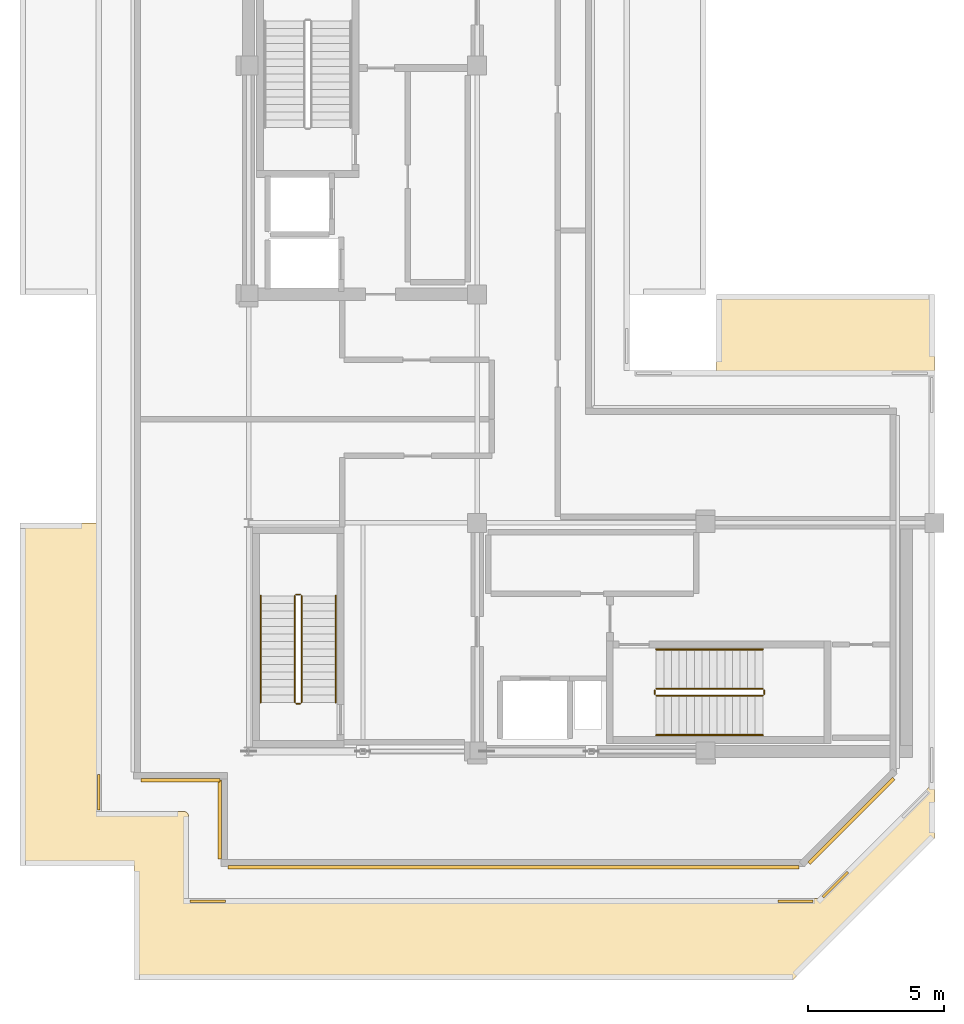
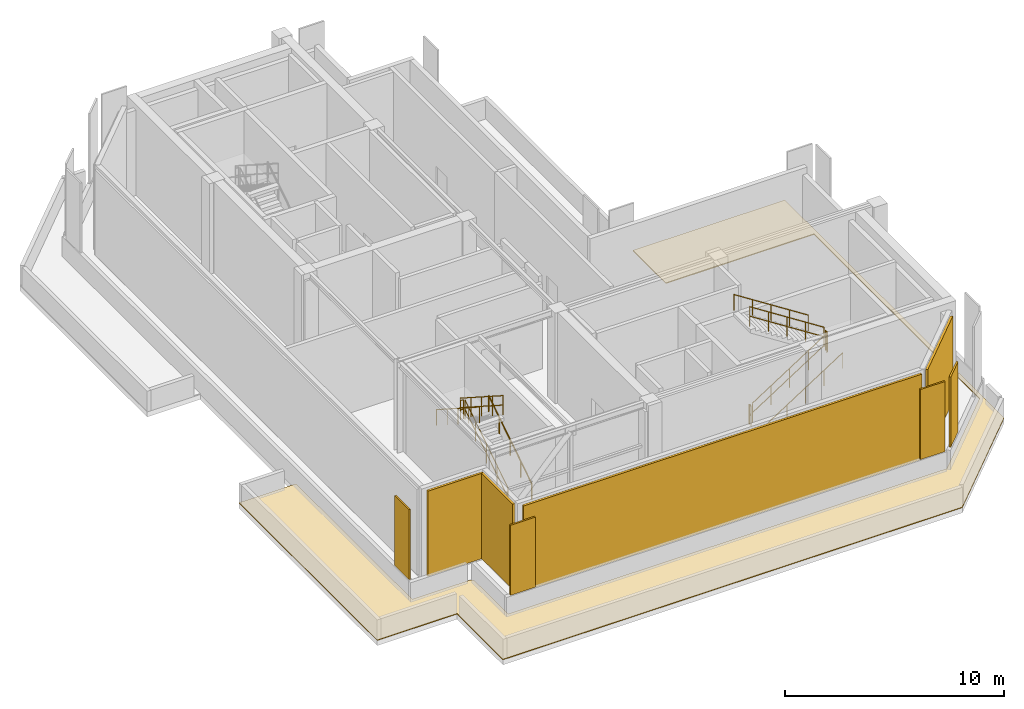
# One storey, part 7 of 9: 12 railings, 5 coverings, 4 shading devices.
"""IFC4 building model written with IfcOpenShell, lengths in metres."""

from ifc_helpers import new_model, si_unit, direction, frame, origin, origin_2d, place, context, subcontext, project, spatial, polyline, rectangle, circle, outline, extrude, material, layer, layer_set, type_object, element, save


model = new_model("IFC4")

# Units and contexts
model_context = context("Model", 3, precision=1e-05, world=origin(), true_north=direction((0.0, 1.0)))
body_context = subcontext(model_context, "Body", "Model", "MODEL_VIEW")
ifc_project = project(units=[si_unit("LENGTHUNIT", "METRE"), si_unit("AREAUNIT", "SQUARE_METRE"), si_unit("VOLUMEUNIT", "CUBIC_METRE"), si_unit("PLANEANGLEUNIT", "RADIAN"), si_unit("MASSUNIT", "GRAM", prefix="KILO")], contexts=[model_context])

# Site, building, storey
site_placement = place(None, origin())
site = spatial("IfcSite", under=ifc_project, at=site_placement, CompositionType="ELEMENT")
building_placement = place(site_placement, origin())
building = spatial("IfcBuilding", under=site, at=building_placement, Name="Nerrivon Quay Data Exchange", CompositionType="ELEMENT")
storey_placement = place(building_placement, frame((0.0, 0.0, 333.0)))
storey = spatial("IfcBuildingStorey", under=building, at=storey_placement, Name="L79", CompositionType="ELEMENT", Elevation=333.0)

# Coverings
ifc_material_1 = material(Name="Bituminous waterproof roofing membrane", Category="concrete")
ifc_layer_1 = layer(ifc_material_1, 0.06005859375)
ifc_layer_set_1 = layer_set([ifc_layer_1], Name="Bituminous waterproof roofing membrane")
covering_type_1 = type_object("IfcCoveringType", Name="COV-ROOF-MEM1", PredefinedType="ROOFING", material=ifc_layer_set_1)
covering_placement = place(storey_placement, origin())
element("IfcCovering", 1, at=covering_placement, inside=storey, type_object=covering_type_1, Name="L79 Stepped Crown Roof Membrane 1", PredefinedType="ROOFING", context=body_context, shape_type="SweptSolid", body=[
    extrude(outline(polyline([(33.60009765625, 25.199951171875), (25.60009765625, 25.199951171875), (25.60009765625, 22.199951171875), (33.39990234375, 22.199951171875), (33.39990234375, 7.082763671875), (29.317138671875, 3.0), (6.199951171875, 3.0), (6.199951171875, 6.0), (6.1962890625, 6.0390625), (6.184814453125, 6.076416015625), (6.166259765625, 6.111083984375), (6.141357421875, 6.141357421875), (6.111083984375, 6.166259765625), (6.076416015625, 6.184814453125), (6.0390625, 6.1962890625), (6.0, 6.199951171875), (3.0, 6.199951171875), (3.0, 16.800048828125), (0.0, 16.800048828125), (0.0, 4.199951171875), (4.199951171875, 4.199951171875), (4.199951171875, 0.0), (28.39990234375, 0.0), (33.60009765625, 5.199951171875), (33.60009765625, 25.199951171875)])), origin(), (0.0, 0.0, 1.0), 0.050048828125),
])
ifc_material_2 = material(Name="Architectural terracotta ceramic", Category="masonry")
ifc_layer_2 = layer(ifc_material_2, 0.090087890625)
ifc_layer_set_2 = layer_set([ifc_layer_2], Name="Architectural terracotta ceramic")
covering_type_2 = type_object("IfcCoveringType", Name="COV-SCR-TERR", PredefinedType="CLADDING", material=ifc_layer_set_2)
for number, where, z_axis, x_axis, name in (
    (2, (29.9658203125, 3.507080078125, 1.150146484375), (0.0, 0.0, 1.0), (-0.707106781187, -0.707106781187, 0.0), "L79 Wind Turbine Slot Terracotta SOLAR SCREEN Shroud 1.2"),
    (3, (28.5, 2.89990234375, 1.150146484375), (0.0, 0.0, 1.0), (-1.0, 0.0, 0.0), "L79 Wind Turbine Slot Terracotta SOLAR SCREEN Shroud 2.1"),
    (4, (6.89990234375, 2.89990234375, 1.150146484375), (0.0, 0.0, 1.0), (-1.0, 0.0, 0.0), "L79 Wind Turbine Slot Terracotta SOLAR SCREEN Shroud 2.2"),
    (5, (2.89990234375, 6.89990234375, 1.150146484375), (0.0, 0.0, 1.0), (0.0, 1.0, 0.0), "L79 Wind Turbine Slot Terracotta SOLAR SCREEN Shroud 5.1"),
):
    element("IfcCovering", number, at=place(storey_placement, frame(where, z_axis=z_axis, x_axis=x_axis)), inside=storey, type_object=covering_type_2, Name=name, PredefinedType="CLADDING", context=body_context, shape_type="SweptSolid", body=[
        extrude(rectangle(XDim=1.300048828125, YDim=0.090087890625, at=origin_2d()), origin(), (0.0, 0.0, 1.0), 3.89990234375),
    ])

# Railings
ifc_material_3 = material(Name="Steel Grade C350L0 (350 MPa)", Category="steel")
railing_type_1 = type_object("IfcRailingType", Name="RAIL-HAND-HR1", PredefinedType="HANDRAIL", material=ifc_material_3)
railing_1_placement = place(storey_placement, frame((23.3798828125, 9.0, 0.179931640625)))
element("IfcRailing", 6, at=railing_1_placement, inside=storey, type_object=railing_type_1, Name="L79 ST02 stair handrail 1", PredefinedType="HANDRAIL", context=body_context, shape_type="SweptSolid", body=[
    extrude(circle(Radius=0.02392578125, at=origin_2d()), frame((0.0, 0.0, 0.8759765625), z_axis=(0.841186985886, 0.0, 0.540744352514), x_axis=(0.0, 1.0, 0.0)), (0.0, 0.0, 1.0), 4.660400390625),
    extrude(circle(Radius=0.02099609375, at=origin_2d()), origin(), (0.0, 0.0, 1.0), 0.851806640625),
    extrude(circle(Radius=0.02099609375, at=origin_2d()), frame((0.97998046875, 0.0, 0.6298828125)), (0.0, 0.0, 1.0), 0.851806640625),
    extrude(circle(Radius=0.02099609375, at=origin_2d()), frame((1.9599609375, 0.0, 1.260009765625)), (0.0, 0.0, 1.0), 0.851806640625),
    extrude(circle(Radius=0.02099609375, at=origin_2d()), frame((2.940185546875, 0.0, 1.89013671875)), (0.0, 0.0, 1.0), 0.851806640625),
    extrude(circle(Radius=0.02099609375, at=origin_2d()), frame((3.920166015625, 0.0, 2.52001953125)), (0.0, 0.0, 1.0), 0.851806640625),
])
railing_2_placement = place(storey_placement, frame((27.300048828125, 12.14990234375, 2.8798828125)))
element("IfcRailing", 7, at=railing_2_placement, inside=storey, type_object=railing_type_1, Name="L79 ST02 stair handrail 2", PredefinedType="HANDRAIL", context=body_context, shape_type="SweptSolid", body=[
    extrude(circle(Radius=0.02392578125, at=origin_2d()), frame((0.0, 0.0, 0.8759765625), z_axis=(-0.841186985886, 0.0, 0.540744352514), x_axis=(0.0, -1.0, 0.0)), (0.0, 0.0, 1.0), 4.660400390625),
    extrude(circle(Radius=0.02099609375, at=origin_2d()), origin(), (0.0, 0.0, 1.0), 0.851806640625),
    extrude(circle(Radius=0.02099609375, at=origin_2d()), frame((-0.97998046875, 0.0, 0.6298828125)), (0.0, 0.0, 1.0), 0.851806640625),
    extrude(circle(Radius=0.02099609375, at=origin_2d()), frame((-1.9599609375, 0.0, 1.260009765625)), (0.0, 0.0, 1.0), 0.851806640625),
    extrude(circle(Radius=0.02099609375, at=origin_2d()), frame((-2.940185546875, 0.0, 1.89013671875)), (0.0, 0.0, 1.0), 0.851806640625),
    extrude(circle(Radius=0.02099609375, at=origin_2d()), frame((-3.920166015625, 0.0, 2.52001953125)), (0.0, 0.0, 1.0), 0.851806640625),
])
railing_3_placement = place(storey_placement, frame((11.60009765625, 10.199951171875, 0.179931640625)))
element("IfcRailing", 8, at=railing_3_placement, inside=storey, type_object=railing_type_1, Name="L79 ST08 stair handrail 1", PredefinedType="HANDRAIL", context=body_context, shape_type="SweptSolid", body=[
    extrude(circle(Radius=0.02392578125, at=origin_2d()), frame((0.0, 0.0, 0.8759765625), z_axis=(0.0, 0.841186985886, 0.540744352514), x_axis=(-1.0, 0.0, 0.0)), (0.0, 0.0, 1.0), 4.660400390625),
    extrude(circle(Radius=0.02099609375, at=origin_2d()), origin(), (0.0, 0.0, 1.0), 0.851806640625),
    extrude(circle(Radius=0.02099609375, at=origin_2d()), frame((0.0, 0.97998046875, 0.6298828125)), (0.0, 0.0, 1.0), 0.851806640625),
    extrude(circle(Radius=0.02099609375, at=origin_2d()), frame((0.0, 1.9599609375, 1.260009765625)), (0.0, 0.0, 1.0), 0.851806640625),
    extrude(circle(Radius=0.02099609375, at=origin_2d()), frame((0.0, 2.940185546875, 1.89013671875)), (0.0, 0.0, 1.0), 0.851806640625),
    extrude(circle(Radius=0.02099609375, at=origin_2d()), frame((0.0, 3.920166015625, 2.52001953125)), (0.0, 0.0, 1.0), 0.851806640625),
])
railing_4_placement = place(storey_placement, frame((8.85009765625, 14.1201171875, 2.8798828125)))
element("IfcRailing", 9, at=railing_4_placement, inside=storey, type_object=railing_type_1, Name="L79 ST08 stair handrail 2", PredefinedType="HANDRAIL", context=body_context, shape_type="SweptSolid", body=[
    extrude(circle(Radius=0.02392578125, at=origin_2d()), frame((0.0, 0.0, 0.8759765625), z_axis=(0.0, -0.841186985886, 0.540744352514), x_axis=(1.0, 0.0, 0.0)), (0.0, 0.0, 1.0), 4.660400390625),
    extrude(circle(Radius=0.02099609375, at=origin_2d()), origin(), (0.0, 0.0, 1.0), 0.851806640625),
    extrude(circle(Radius=0.02099609375, at=origin_2d()), frame((0.0, -0.97998046875, 0.6298828125)), (0.0, 0.0, 1.0), 0.851806640625),
    extrude(circle(Radius=0.02099609375, at=origin_2d()), frame((0.0, -1.9599609375, 1.260009765625)), (0.0, 0.0, 1.0), 0.851806640625),
    extrude(circle(Radius=0.02099609375, at=origin_2d()), frame((0.0, -2.940185546875, 1.89013671875)), (0.0, 0.0, 1.0), 0.851806640625),
    extrude(circle(Radius=0.02099609375, at=origin_2d()), frame((0.0, -3.920166015625, 2.52001953125)), (0.0, 0.0, 1.0), 0.851806640625),
])
railing_type_2 = type_object("IfcRailingType", Name="RAIL-STAIR-GR1", PredefinedType="BALUSTRADE", material=ifc_material_3)
railing_5_placement = place(storey_placement, frame((23.3798828125, 10.449951171875, 0.179931640625)))
element("IfcRailing", 10, at=railing_5_placement, inside=storey, type_object=railing_type_2, Name="L79 ST02 stair guard 1", PredefinedType="BALUSTRADE", context=body_context, shape_type="SweptSolid", body=[
    extrude(circle(Radius=0.02392578125, at=origin_2d()), frame((0.0, 0.0, 1.076171875), z_axis=(0.841186985886, 0.0, 0.540744352514), x_axis=(0.0, 1.0, 0.0)), (0.0, 0.0, 1.0), 4.660400390625),
    extrude(circle(Radius=0.02392578125, at=origin_2d()), frame((0.0, 0.0, 0.550048828125), z_axis=(0.841186985886, 0.0, 0.540744352514), x_axis=(0.0, 1.0, 0.0)), (0.0, 0.0, 1.0), 4.660400390625),
    extrude(circle(Radius=0.02099609375, at=origin_2d()), origin(), (0.0, 0.0, 1.0), 1.052001953125),
    extrude(circle(Radius=0.02099609375, at=origin_2d()), frame((0.97998046875, 0.0, 0.6298828125)), (0.0, 0.0, 1.0), 1.052001953125),
    extrude(circle(Radius=0.02099609375, at=origin_2d()), frame((1.9599609375, 0.0, 1.260009765625)), (0.0, 0.0, 1.0), 1.052001953125),
    extrude(circle(Radius=0.02099609375, at=origin_2d()), frame((2.940185546875, 0.0, 1.89013671875)), (0.0, 0.0, 1.0), 1.052001953125),
    extrude(circle(Radius=0.02099609375, at=origin_2d()), frame((3.920166015625, 0.0, 2.52001953125)), (0.0, 0.0, 1.0), 1.052001953125),
])
railing_6_placement = place(storey_placement, frame((27.35009765625, 10.5, 2.699951171875)))
element("IfcRailing", 11, at=railing_6_placement, inside=storey, type_object=railing_type_2, Name="L79 ST02 stair guard 2", PredefinedType="BALUSTRADE", context=body_context, shape_type="SweptSolid", body=[
    extrude(circle(Radius=0.02392578125, at=origin_2d()), frame((0.0, 0.0, 1.076171875), z_axis=(0.0, 1.0, 0.0), x_axis=(-1.0, 0.0, 0.0)), (0.0, 0.0, 1.0), 0.14990234375),
    extrude(circle(Radius=0.02392578125, at=origin_2d()), frame((0.0, 0.0, 0.550048828125), z_axis=(0.0, 1.0, 0.0), x_axis=(-1.0, 0.0, 0.0)), (0.0, 0.0, 1.0), 0.14990234375),
    extrude(circle(Radius=0.02099609375, at=origin_2d()), origin(), (0.0, 0.0, 1.0), 1.052001953125),
    extrude(circle(Radius=0.02099609375, at=origin_2d()), frame((0.0, 0.14990234375, 0.0)), (0.0, 0.0, 1.0), 1.052001953125),
])
railing_7_placement = place(storey_placement, frame((27.300048828125, 10.699951171875, 2.8798828125)))
element("IfcRailing", 12, at=railing_7_placement, inside=storey, type_object=railing_type_2, Name="L79 ST02 stair guard 3", PredefinedType="BALUSTRADE", context=body_context, shape_type="SweptSolid", body=[
    extrude(circle(Radius=0.02392578125, at=origin_2d()), frame((0.0, 0.0, 1.076171875), z_axis=(-0.841186985886, 0.0, 0.540744352514), x_axis=(0.0, -1.0, 0.0)), (0.0, 0.0, 1.0), 4.660400390625),
    extrude(circle(Radius=0.02392578125, at=origin_2d()), frame((0.0, 0.0, 0.550048828125), z_axis=(-0.841186985886, 0.0, 0.540744352514), x_axis=(0.0, -1.0, 0.0)), (0.0, 0.0, 1.0), 4.660400390625),
    extrude(circle(Radius=0.02099609375, at=origin_2d()), origin(), (0.0, 0.0, 1.0), 1.052001953125),
    extrude(circle(Radius=0.02099609375, at=origin_2d()), frame((-0.97998046875, 0.0, 0.6298828125)), (0.0, 0.0, 1.0), 1.052001953125),
    extrude(circle(Radius=0.02099609375, at=origin_2d()), frame((-1.9599609375, 0.0, 1.260009765625)), (0.0, 0.0, 1.0), 1.052001953125),
    extrude(circle(Radius=0.02099609375, at=origin_2d()), frame((-2.940185546875, 0.0, 1.89013671875)), (0.0, 0.0, 1.0), 1.052001953125),
    extrude(circle(Radius=0.02099609375, at=origin_2d()), frame((-3.920166015625, 0.0, 2.52001953125)), (0.0, 0.0, 1.0), 1.052001953125),
])
railing_8_placement = place(storey_placement, frame((23.330078125, 10.5, 0.0)))
element("IfcRailing", 13, at=railing_8_placement, inside=storey, type_object=railing_type_2, Name="L79 ST02 stair guard 4", PredefinedType="BALUSTRADE", context=body_context, shape_type="SweptSolid", body=[
    extrude(circle(Radius=0.02392578125, at=origin_2d()), frame((0.0, 0.0, 1.076171875), z_axis=(0.0, 1.0, 0.0), x_axis=(-1.0, 0.0, 0.0)), (0.0, 0.0, 1.0), 0.14990234375),
    extrude(circle(Radius=0.02392578125, at=origin_2d()), frame((0.0, 0.0, 0.550048828125), z_axis=(0.0, 1.0, 0.0), x_axis=(-1.0, 0.0, 0.0)), (0.0, 0.0, 1.0), 0.14990234375),
    extrude(circle(Radius=0.02099609375, at=origin_2d()), origin(), (0.0, 0.0, 1.0), 1.052001953125),
    extrude(circle(Radius=0.02099609375, at=origin_2d()), frame((0.0, 0.14990234375, 0.0)), (0.0, 0.0, 1.0), 1.052001953125),
])
railing_9_placement = place(storey_placement, frame((10.35009765625, 10.199951171875, 0.179931640625)))
element("IfcRailing", 14, at=railing_9_placement, inside=storey, type_object=railing_type_2, Name="L79 ST08 stair guard 1", PredefinedType="BALUSTRADE", context=body_context, shape_type="SweptSolid", body=[
    extrude(circle(Radius=0.02392578125, at=origin_2d()), frame((0.0, 0.0, 1.076171875), z_axis=(0.0, 0.841186985886, 0.540744352514), x_axis=(-1.0, 0.0, 0.0)), (0.0, 0.0, 1.0), 4.660400390625),
    extrude(circle(Radius=0.02392578125, at=origin_2d()), frame((0.0, 0.0, 0.550048828125), z_axis=(0.0, 0.841186985886, 0.540744352514), x_axis=(-1.0, 0.0, 0.0)), (0.0, 0.0, 1.0), 4.660400390625),
    extrude(circle(Radius=0.02099609375, at=origin_2d()), origin(), (0.0, 0.0, 1.0), 1.052001953125),
    extrude(circle(Radius=0.02099609375, at=origin_2d()), frame((0.0, 0.97998046875, 0.6298828125)), (0.0, 0.0, 1.0), 1.052001953125),
    extrude(circle(Radius=0.02099609375, at=origin_2d()), frame((0.0, 1.9599609375, 1.260009765625)), (0.0, 0.0, 1.0), 1.052001953125),
    extrude(circle(Radius=0.02099609375, at=origin_2d()), frame((0.0, 2.940185546875, 1.89013671875)), (0.0, 0.0, 1.0), 1.052001953125),
    extrude(circle(Radius=0.02099609375, at=origin_2d()), frame((0.0, 3.920166015625, 2.52001953125)), (0.0, 0.0, 1.0), 1.052001953125),
])
railing_10_placement = place(storey_placement, frame((10.300048828125, 14.169921875, 2.699951171875)))
element("IfcRailing", 15, at=railing_10_placement, inside=storey, type_object=railing_type_2, Name="L79 ST08 stair guard 2", PredefinedType="BALUSTRADE", context=body_context, shape_type="SweptSolid", body=[
    extrude(circle(Radius=0.02392578125, at=origin_2d()), frame((0.0, 0.0, 1.076171875), z_axis=(-1.0, 0.0, 0.0), x_axis=(0.0, -1.0, 0.0)), (0.0, 0.0, 1.0), 0.150146484375),
    extrude(circle(Radius=0.02392578125, at=origin_2d()), frame((0.0, 0.0, 0.550048828125), z_axis=(-1.0, 0.0, 0.0), x_axis=(0.0, -1.0, 0.0)), (0.0, 0.0, 1.0), 0.150146484375),
    extrude(circle(Radius=0.02099609375, at=origin_2d()), origin(), (0.0, 0.0, 1.0), 1.052001953125),
    extrude(circle(Radius=0.02099609375, at=origin_2d()), frame((-0.150146484375, 0.0, 0.0)), (0.0, 0.0, 1.0), 1.052001953125),
])
railing_11_placement = place(storey_placement, frame((10.10009765625, 14.1201171875, 2.8798828125)))
element("IfcRailing", 16, at=railing_11_placement, inside=storey, type_object=railing_type_2, Name="L79 ST08 stair guard 3", PredefinedType="BALUSTRADE", context=body_context, shape_type="SweptSolid", body=[
    extrude(circle(Radius=0.02392578125, at=origin_2d()), frame((0.0, 0.0, 1.076171875), z_axis=(0.0, -0.841186985886, 0.540744352514), x_axis=(1.0, 0.0, 0.0)), (0.0, 0.0, 1.0), 4.660400390625),
    extrude(circle(Radius=0.02392578125, at=origin_2d()), frame((0.0, 0.0, 0.550048828125), z_axis=(0.0, -0.841186985886, 0.540744352514), x_axis=(1.0, 0.0, 0.0)), (0.0, 0.0, 1.0), 4.660400390625),
    extrude(circle(Radius=0.02099609375, at=origin_2d()), origin(), (0.0, 0.0, 1.0), 1.052001953125),
    extrude(circle(Radius=0.02099609375, at=origin_2d()), frame((0.0, -0.97998046875, 0.6298828125)), (0.0, 0.0, 1.0), 1.052001953125),
    extrude(circle(Radius=0.02099609375, at=origin_2d()), frame((0.0, -1.9599609375, 1.260009765625)), (0.0, 0.0, 1.0), 1.052001953125),
    extrude(circle(Radius=0.02099609375, at=origin_2d()), frame((0.0, -2.940185546875, 1.89013671875)), (0.0, 0.0, 1.0), 1.052001953125),
    extrude(circle(Radius=0.02099609375, at=origin_2d()), frame((0.0, -3.920166015625, 2.52001953125)), (0.0, 0.0, 1.0), 1.052001953125),
])
railing_12_placement = place(storey_placement, frame((10.300048828125, 10.14990234375, 0.0)))
element("IfcRailing", 17, at=railing_12_placement, inside=storey, type_object=railing_type_2, Name="L79 ST08 stair guard 4", PredefinedType="BALUSTRADE", context=body_context, shape_type="SweptSolid", body=[
    extrude(circle(Radius=0.02392578125, at=origin_2d()), frame((0.0, 0.0, 1.076171875), z_axis=(-1.0, 0.0, 0.0), x_axis=(0.0, -1.0, 0.0)), (0.0, 0.0, 1.0), 0.150146484375),
    extrude(circle(Radius=0.02392578125, at=origin_2d()), frame((0.0, 0.0, 0.550048828125), z_axis=(-1.0, 0.0, 0.0), x_axis=(0.0, -1.0, 0.0)), (0.0, 0.0, 1.0), 0.150146484375),
    extrude(circle(Radius=0.02099609375, at=origin_2d()), origin(), (0.0, 0.0, 1.0), 1.052001953125),
    extrude(circle(Radius=0.02099609375, at=origin_2d()), frame((-0.150146484375, 0.0, 0.0)), (0.0, 0.0, 1.0), 1.052001953125),
])

# Shading devices
ifc_material_4 = material(Name="Anodised aluminium 6063-T6", Category="aluminium")
ifc_layer_3 = layer(ifc_material_4, 0.1201171875)
ifc_layer_set_3 = layer_set([ifc_layer_3], Name="Anodised aluminium 6063-T6")
shading_device_type = type_object("IfcShadingDeviceType", Name="SHD-LOUV-LV01", PredefinedType="JALOUSIE", material=ifc_layer_set_3)
shading_device_1_placement = place(storey_placement, frame((30.552490234375, 5.847412109375, 0.14990234375), z_axis=(0.0, 0.0, 1.0), x_axis=(-0.707106781187, -0.707106781187, 0.0)))
element("IfcShadingDevice", 18, at=shading_device_1_placement, inside=storey, type_object=shading_device_type, Name="L79 Acoustic Turbine Louvre LV01-2", PredefinedType="JALOUSIE", context=body_context, shape_type="SweptSolid", body=[
    extrude(rectangle(XDim=4.39697265625, YDim=0.1201171875, at=origin_2d()), origin(), (0.0, 0.0, 1.0), 4.75),
])
shading_device_2_placement = place(storey_placement, frame((18.139404296875, 4.139892578125, 0.14990234375), z_axis=(0.0, 0.0, 1.0), x_axis=(-1.0, 0.0, 0.0)))
element("IfcShadingDevice", 19, at=shading_device_2_placement, inside=storey, type_object=shading_device_type, Name="L79 Acoustic Turbine Louvre LV01-3", PredefinedType="JALOUSIE", context=body_context, shape_type="SweptSolid", body=[
    extrude(rectangle(XDim=20.978759765625, YDim=0.1201171875, at=origin_2d()), origin(), (0.0, 0.0, 1.0), 4.75),
])
for number, where, z_axis, x_axis, name in (
    (20, (7.340087890625, 5.89990234375, 0.14990234375), (0.0, 0.0, 1.0), (0.0, 1.0, 0.0), "L79 Acoustic Turbine Louvre LV01-4"),
    (21, (5.89990234375, 7.340087890625, 0.14990234375), (0.0, 0.0, 1.0), (-1.0, 0.0, 0.0), "L79 Acoustic Turbine Louvre LV01-5"),
):
    element("IfcShadingDevice", number, at=place(storey_placement, frame(where, z_axis=z_axis, x_axis=x_axis)), inside=storey, type_object=shading_device_type, Name=name, PredefinedType="JALOUSIE", context=body_context, shape_type="SweptSolid", body=[
        extrude(rectangle(XDim=2.89990234375, YDim=0.1201171875, at=origin_2d()), origin(), (0.0, 0.0, 1.0), 4.75),
    ])

save(model, "model.ifc")
